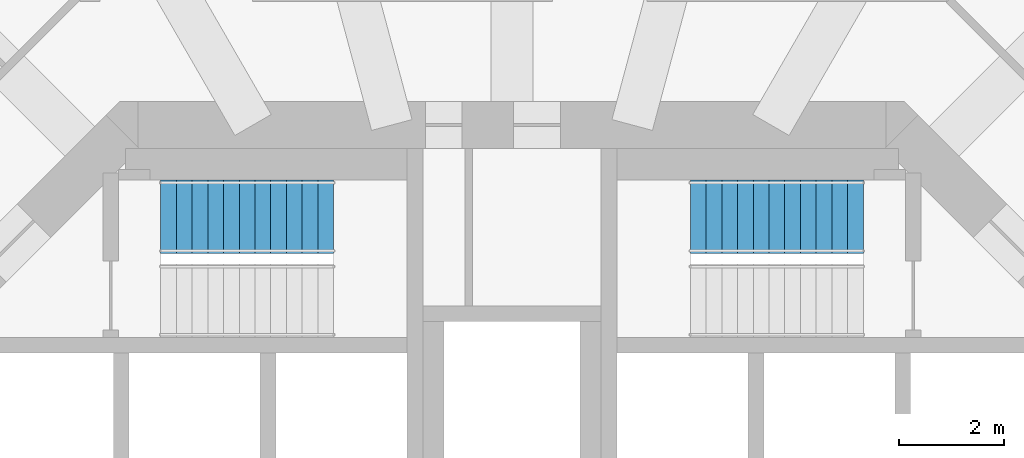
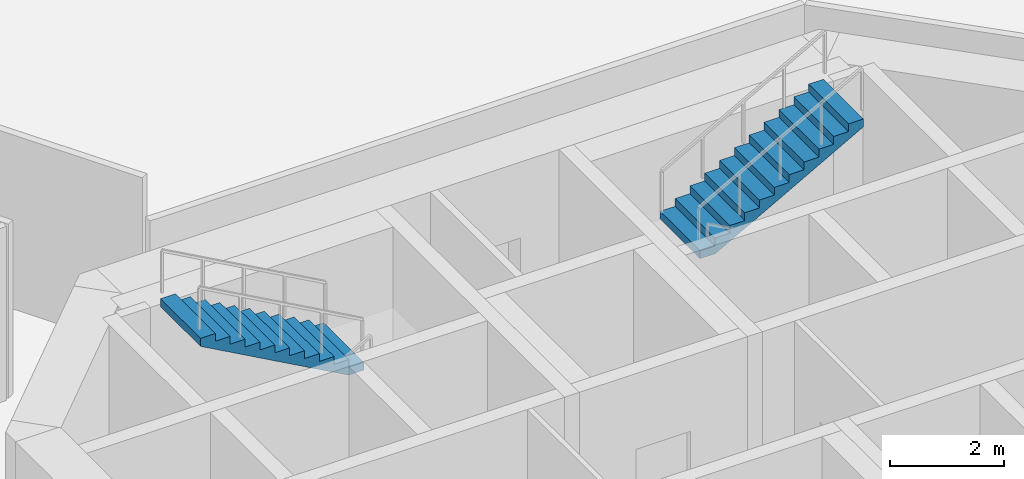
# One storey, part 7 of 9: 2 stair flights, 2 elements without a shape of their own.
"""IFC4 building model written with IfcOpenShell, lengths in metres."""

from ifc_helpers import new_model, si_unit, direction, frame, origin, place, context, subcontext, project, spatial, polyline, outline, extrude, material, type_object, element, aggregate, save


model = new_model("IFC4")

# Units and contexts
model_context = context("Model", 3, precision=1e-05, world=origin(), true_north=direction((0.0, 1.0)))
body_context = subcontext(model_context, "Body", "Model", "MODEL_VIEW")
ifc_project = project(units=[si_unit("LENGTHUNIT", "METRE"), si_unit("AREAUNIT", "SQUARE_METRE"), si_unit("VOLUMEUNIT", "CUBIC_METRE"), si_unit("PLANEANGLEUNIT", "RADIAN"), si_unit("MASSUNIT", "GRAM", prefix="KILO")], contexts=[model_context])

# Site, building, storey
site_placement = place(None, origin())
site = spatial("IfcSite", under=ifc_project, at=site_placement, CompositionType="ELEMENT")
building_placement = place(site_placement, origin())
building = spatial("IfcBuilding", under=site, at=building_placement, Name="Torre Triforio", CompositionType="ELEMENT")
storey_placement = place(building_placement, frame((0.0, 0.0, 67.0)))
storey = spatial("IfcBuildingStorey", under=building, at=storey_placement, Name="L14", CompositionType="ELEMENT", Elevation=67.0)

# Stair, stair flight
ifc_material = material(Name="Concrete C40", Category="concrete")
stair_type = type_object("IfcStairType", Name="STAIR HALF-TURN", PredefinedType="HALF_TURN_STAIR", material=ifc_material)
stair_1_placement = place(storey_placement, origin())
stair_1 = element("IfcStair", 1, at=stair_1_placement, inside=storey, type_object=stair_type, Name="Exit stair 1", PredefinedType="HALF_TURN_STAIR")
stair_flight_type = type_object("IfcStairFlightType", Name="STAIR FLIGHT 1400", PredefinedType="STRAIGHT", material=ifc_material)
stair_flight_1_placement = place(storey_placement, frame((-3.39990234375, 6.800048828125, 2.0), z_axis=(0.0, 0.0, 1.0), x_axis=(-1.0, 0.0, 0.0)))
stair_flight_1 = element("IfcStairFlight", 2, at=stair_flight_1_placement, type_object=stair_flight_type, Name="ST1 flight 2", NumberOfRisers=12, NumberOfTreads=11, PredefinedType="STRAIGHT", RiserHeight=0.166666667, TreadLength=0.3, context=body_context, shape_type="SweptSolid", body=[
    extrude(outline(polyline([(0.0, 0.0), (0.0, 0.166748046875), (0.300048828125, 0.166748046875), (0.300048828125, 0.333251953125), (0.60009765625, 0.333251953125), (0.60009765625, 0.5), (0.89990234375, 0.5), (0.89990234375, 0.666748046875), (1.199951171875, 0.666748046875), (1.199951171875, 0.833251953125), (1.5, 0.833251953125), (1.5, 1.0), (1.800048828125, 1.0), (1.800048828125, 1.166748046875), (2.10009765625, 1.166748046875), (2.10009765625, 1.333251953125), (2.39990234375, 1.333251953125), (2.39990234375, 1.5), (2.699951171875, 1.5), (2.699951171875, 1.666748046875), (3.0, 1.666748046875), (3.0, 1.833251953125), (3.300048828125, 1.833251953125), (3.300048828125, 2.0), (3.300048828125, 1.661865234375), (0.30859375, 0.0), (0.0, 0.0)])), frame((0.0, 0.699951171875, 0.0), z_axis=(0.0, -1.0, 0.0), x_axis=(1.0, 0.0, 0.0)), (0.0, 0.0, 1.0), 1.39990234375),
])
aggregate(stair_1, [stair_flight_1])

stair_2_placement = place(storey_placement, origin())
stair_2 = element("IfcStair", 3, at=stair_2_placement, inside=storey, type_object=stair_type, Name="Exit stair 2", PredefinedType="HALF_TURN_STAIR")
stair_flight_2_placement = place(storey_placement, frame((3.39990234375, 6.800048828125, 2.0), z_axis=(0.0, 0.0, 1.0), x_axis=(1.0, 0.0, 0.0)))
stair_flight_2 = element("IfcStairFlight", 4, at=stair_flight_2_placement, type_object=stair_flight_type, Name="ST2 flight 2", NumberOfRisers=12, NumberOfTreads=11, PredefinedType="STRAIGHT", RiserHeight=0.166666667, TreadLength=0.3, context=body_context, shape_type="SweptSolid", body=[
    extrude(outline(polyline([(0.0, 0.0), (0.0, 0.166748046875), (0.300048828125, 0.166748046875), (0.300048828125, 0.333251953125), (0.60009765625, 0.333251953125), (0.60009765625, 0.5), (0.89990234375, 0.5), (0.89990234375, 0.666748046875), (1.199951171875, 0.666748046875), (1.199951171875, 0.833251953125), (1.5, 0.833251953125), (1.5, 1.0), (1.800048828125, 1.0), (1.800048828125, 1.166748046875), (2.10009765625, 1.166748046875), (2.10009765625, 1.333251953125), (2.39990234375, 1.333251953125), (2.39990234375, 1.5), (2.699951171875, 1.5), (2.699951171875, 1.666748046875), (3.0, 1.666748046875), (3.0, 1.833251953125), (3.300048828125, 1.833251953125), (3.300048828125, 2.0), (3.300048828125, 1.661865234375), (0.30859375, 0.0), (0.0, 0.0)])), frame((0.0, 0.699951171875, 0.0), z_axis=(0.0, -1.0, 0.0), x_axis=(1.0, 0.0, 0.0)), (0.0, 0.0, 1.0), 1.39990234375),
])
aggregate(stair_2, [stair_flight_2])

save(model, "model.ifc")
